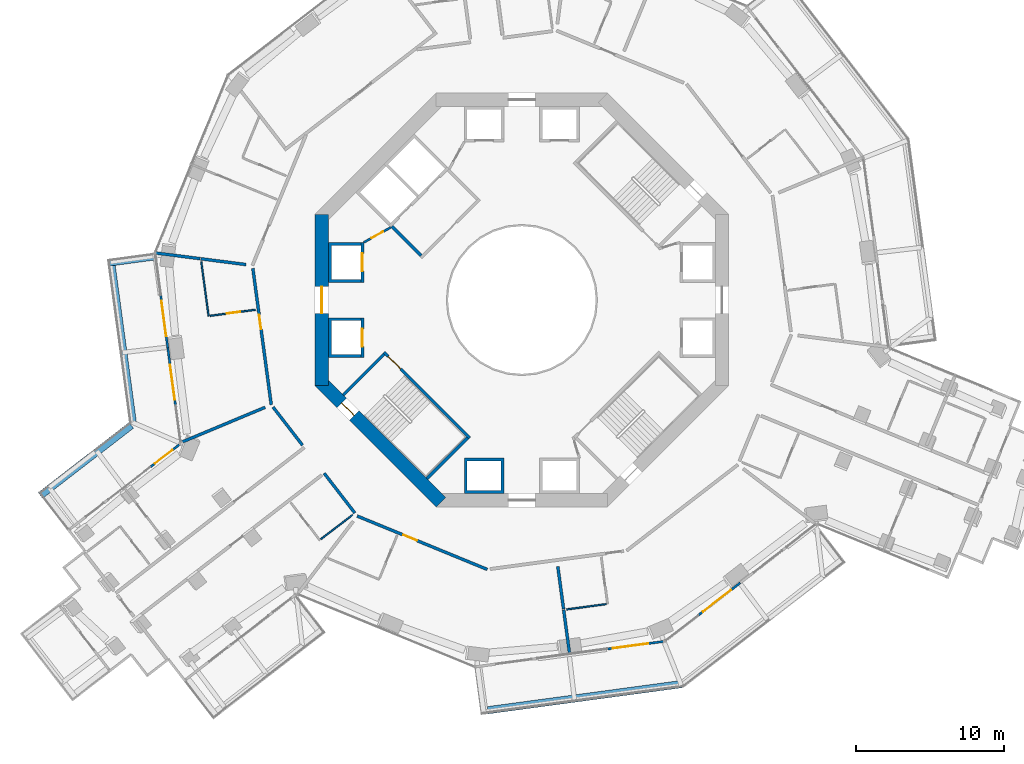
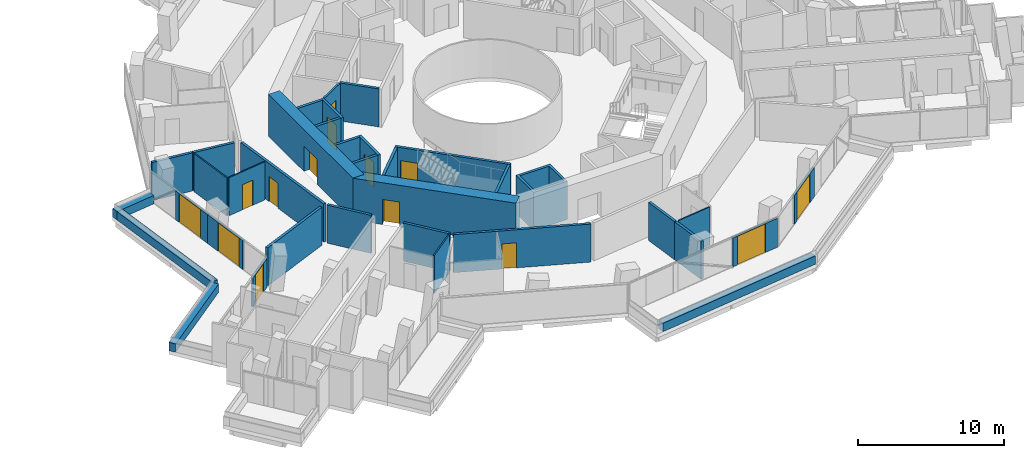
# One storey, part 19 of 27: 34 walls, 14 doors, 14 openings.
"""IFC4 building model written with IfcOpenShell, lengths in metres."""

from ifc_helpers import new_model, si_unit, direction, frame, frame_2d, origin, place, context, subcontext, project, spatial, polyline, rectangle, outline, extrude, material, layer, layer_set, type_object, element, fill, save


model = new_model("IFC4")

# Units and contexts
model_context = context("Model", 3, precision=1e-05, world=origin(), true_north=direction((0.0, 1.0)))
body_context = subcontext(model_context, "Body", "Model", "MODEL_VIEW")
ifc_project = project(units=[si_unit("LENGTHUNIT", "METRE"), si_unit("AREAUNIT", "SQUARE_METRE"), si_unit("VOLUMEUNIT", "CUBIC_METRE"), si_unit("PLANEANGLEUNIT", "RADIAN"), si_unit("MASSUNIT", "GRAM", prefix="KILO")], contexts=[model_context])

# Site, building, storey
site_placement = place(None, origin())
site = spatial("IfcSite", under=ifc_project, at=site_placement, CompositionType="ELEMENT")
building_placement = place(site_placement, origin())
building = spatial("IfcBuilding", under=site, at=building_placement, Name="Verdalira Terraces Hotel", CompositionType="ELEMENT")
storey_placement = place(building_placement, frame((0.0, 0.0, 64.5)))
storey = spatial("IfcBuildingStorey", under=building, at=storey_placement, Name="L14", CompositionType="ELEMENT", Elevation=64.5)

# Walls
ifc_material_1 = material(Name="Concrete C40", Category="concrete")
ifc_layer_1 = layer(ifc_material_1, 0.5)
ifc_layer_set_1 = layer_set([ifc_layer_1], Name="Balcony planter trough with tree")
wall_type_1 = type_object("IfcWallType", Name="Balcony planter trough with tree", PredefinedType="SOLIDWALL", material=ifc_layer_set_1)
wall_1_placement = place(storey_placement, frame((-24.876953, 2.951904, 0.0), z_axis=(0.0, 0.0, 1.0), x_axis=(-0.991031531, -0.133628231, 0.0)))
element("IfcWall", 1, at=wall_1_placement, inside=storey, type_object=wall_type_1, Name="Balcony planter", PredefinedType="SOLIDWALL", context=body_context, shape_type="SweptSolid", body=[
    extrude(rectangle(XDim=3.199219, YDim=0.5, at=frame_2d((1.599609, 0.0))), origin(), (0.0, 0.0, 1.0), 0.699951),
])
wall_2_placement = place(storey_placement, frame((-27.766113, 2.310059, 0.0), z_axis=(0.0, 0.0, 1.0), x_axis=(0.133639281, -0.991030041, 0.0)))
element("IfcWall", 2, at=wall_2_placement, inside=storey, type_object=wall_type_1, Name="Balcony planter", PredefinedType="SOLIDWALL", context=body_context, shape_type="SweptSolid", body=[
    extrude(rectangle(XDim=10.652344, YDim=0.5, at=frame_2d((5.326172, 0.0))), origin(), (0.0, 0.0, 1.0), 0.699951),
])
wall_3_placement = place(storey_placement, frame((-26.4375, -8.478027, 0.0), z_axis=(0.0, 0.0, 1.0), x_axis=(-0.791421051, -0.611271396, 0.0)))
element("IfcWall", 3, at=wall_3_placement, inside=storey, type_object=wall_type_1, Name="Balcony planter", PredefinedType="SOLIDWALL", context=body_context, shape_type="SweptSolid", body=[
    extrude(rectangle(XDim=7.773438, YDim=0.5, at=frame_2d((3.886719, 0.0))), origin(), (0.0, 0.0, 1.0), 0.699951),
])
wall_4_placement = place(storey_placement, frame((-2.310059, -27.766113, 0.0), z_axis=(0.0, 0.0, 1.0), x_axis=(0.991030733, 0.133634153, 0.0)))
element("IfcWall", 4, at=wall_4_placement, inside=storey, type_object=wall_type_1, Name="Balcony planter", PredefinedType="SOLIDWALL", context=body_context, shape_type="SweptSolid", body=[
    extrude(rectangle(XDim=13.223389, YDim=0.5, at=frame_2d((6.611816, 0.0))), origin(), (0.0, 0.0, 1.0), 0.699951),
])
ifc_material_2 = material(Name="Moisture-resistant gypsum board partition")
ifc_layer_2 = layer(ifc_material_2, 0.10009765625)
ifc_layer_set_2 = layer_set([ifc_layer_2], Name="Bathroom partition 100 mm")
wall_type_2 = type_object("IfcWallType", Name="Bathroom partition 100 mm", PredefinedType="PARTITIONING", material=ifc_layer_set_2)
wall_5_placement = place(storey_placement, frame((-21.203613, -1.084961, 0.0), z_axis=(0.0, 0.0, 1.0), x_axis=(-0.13360997, 0.991033993, 0.0)))
element("IfcWall", 5, at=wall_5_placement, inside=storey, type_object=wall_type_2, Name="Bathroom partition", PredefinedType="PARTITIONING", context=body_context, shape_type="SweptSolid", body=[
    extrude(rectangle(XDim=3.703857, YDim=0.100098, at=frame_2d((1.852051, 0.0))), origin(), (0.0, 0.0, 1.0), 3.189941),
])

# Wall, opening, door
wall_6_placement = place(storey_placement, frame((-21.104492, -1.071777, 0.0), z_axis=(0.0, 0.0, 1.0), x_axis=(0.991029396, 0.133644063, 0.0)))
wall_6 = element("IfcWall", 6, at=wall_6_placement, inside=storey, type_object=wall_type_2, Name="Bathroom partition", PredefinedType="PARTITIONING", context=body_context, shape_type="SweptSolid", body=[
    extrude(rectangle(XDim=3.100098, YDim=0.100098, at=frame_2d((1.550049, 0.0))), origin(), (0.0, 0.0, 1.0), 3.189941),
])
opening_1_placement = place(wall_6_placement, frame((1.149902, 0.0, 0.0)))
opening_1 = element("IfcOpeningElement", 7, at=opening_1_placement, cuts=wall_6, Name="Opening L14-113", PredefinedType="OPENING", context=body_context, shape_type="SweptSolid", body=[
    extrude(rectangle(XDim=0.899902, YDim=2.100098, at=frame_2d((0.449951, 1.050049))), frame((0.0, 0.060059, 0.0), z_axis=(0.0, -1.0, 0.0), x_axis=(1.0, 0.0, 0.0)), (0.0, 0.0, 1.0), 0.120117),
])
ifc_material_3 = material(Name="Timber door", Category="wood")
door_type_1 = type_object("IfcDoorType", Name="Bathroom door 900 x 2100", OperationType="NOTDEFINED", PredefinedType="DOOR", material=ifc_material_3)
door_1_placement = place(opening_1_placement, origin())
door_1 = element("IfcDoor", 8, at=door_1_placement, inside=storey, type_object=door_type_1, Name="Bathroom door 1405", OperationType="SINGLE_SWING_LEFT", OverallHeight=2.10009765625, OverallWidth=0.89990234375, PredefinedType="DOOR", context=body_context, shape_type="SweptSolid", body=[
    extrude(rectangle(XDim=0.899902, YDim=2.100098, at=frame_2d((0.449951, 1.050049))), frame((0.0, 0.024902, 0.0), z_axis=(0.0, -1.0, 0.0), x_axis=(1.0, 0.0, 0.0)), (0.0, 0.0, 1.0), 0.050049),
])
fill(opening_1, door_1)

# Walls
for number, where, z_axis, x_axis, name in (
    (9, (-11.462402, -14.538574, 0.0), (0.0, 0.0, 1.0), (-0.79141226, -0.611282778, 0.0), "Bathroom partition"),
    (10, (5.70166, -20.581055, 0.0), (0.0, 0.0, 1.0), (-0.991029366, -0.133644289, 0.0), "Bathroom partition"),
):
    element("IfcWall", number, at=place(storey_placement, frame(where, z_axis=z_axis, x_axis=x_axis)), inside=storey, type_object=wall_type_2, Name=name, PredefinedType="PARTITIONING", context=body_context, shape_type="SweptSolid", body=[
        extrude(rectangle(XDim=2.699951, YDim=0.100098, at=frame_2d((1.350098, 0.0))), origin(), (0.0, 0.0, 1.0), 3.189941),
    ])
ifc_material_4 = material(Name="Concrete C50", Category="concrete")
ifc_layer_3 = layer(ifc_material_4, 0.199951171875)
ifc_layer_set_3 = layer_set([ifc_layer_3], Name="Core RC wall 200 C50")
wall_type_3 = type_object("IfcWallType", Name="Core RC wall 200 C50", PredefinedType="SOLIDWALL", material=ifc_layer_set_3)
wall_7_placement = place(storey_placement, origin())
element("IfcWall", 11, at=wall_7_placement, inside=storey, type_object=wall_type_3, Name="L14 shaft wall W1", PredefinedType="SOLIDWALL", context=body_context, shape_type="SweptSolid", body=[
    extrude(outline(polyline([(-13.100098, 3.899902), (-10.899902, 3.899902), (-10.899902, 3.699951), (-12.899902, 3.699951), (-12.899902, 1.399902), (-10.899902, 1.399902), (-10.899902, 1.199951), (-13.100098, 1.199951), (-13.100098, 3.899902)])), origin(), (0.0, 0.0, 1.0), 3.189941),
])

# Wall, opening, door
wall_8_placement = place(storey_placement, frame((-10.800049, 1.199951, 0.0), z_axis=(0.0, 0.0, 1.0), x_axis=(0.0, 1.0, 0.0)))
wall_8 = element("IfcWall", 12, at=wall_8_placement, inside=storey, type_object=wall_type_3, Name="L14 shaft front wall W1", PredefinedType="SOLIDWALL", context=body_context, shape_type="SweptSolid", body=[
    extrude(rectangle(XDim=2.699951, YDim=0.199951, at=frame_2d((1.350098, 0.0))), origin(), (0.0, 0.0, 1.0), 3.189941),
])
opening_2_placement = place(wall_8_placement, frame((0.75, 0.0, 0.0)))
opening_2 = element("IfcOpeningElement", 13, at=opening_2_placement, cuts=wall_8, Name="Opening LD-L14-805", PredefinedType="OPENING", context=body_context, shape_type="SweptSolid", body=[
    extrude(rectangle(XDim=1.199951, YDim=2.100098, at=frame_2d((0.600098, 1.050049))), frame((0.0, 0.109863, 0.0), z_axis=(0.0, -1.0, 0.0), x_axis=(1.0, 0.0, 0.0)), (0.0, 0.0, 1.0), 0.219971),
])
ifc_material_5 = material(Name="Stainless steel", Category="steel")
door_type_2 = type_object("IfcDoorType", Name="Landing door 1200 x 2100", OperationType="NOTDEFINED", PredefinedType="DOOR", material=ifc_material_5)
door_2_placement = place(opening_2_placement, origin())
door_2 = element("IfcDoor", 14, at=door_2_placement, inside=storey, type_object=door_type_2, Name="Lift landing door LR5 L14", OperationType="DOUBLE_DOOR_SLIDING", OverallHeight=2.10009765625, OverallWidth=1.199951171875, PredefinedType="DOOR", context=body_context, shape_type="SweptSolid", body=[
    extrude(rectangle(XDim=1.199951, YDim=2.100098, at=frame_2d((0.600098, 1.050049))), frame((0.0, 0.024902, 0.0), z_axis=(0.0, -1.0, 0.0), x_axis=(1.0, 0.0, 0.0)), (0.0, 0.0, 1.0), 0.050049),
])
fill(opening_2, door_2)

# Wall
wall_9_placement = place(storey_placement, origin())
element("IfcWall", 15, at=wall_9_placement, inside=storey, type_object=wall_type_3, Name="L14 shaft wall W2", PredefinedType="SOLIDWALL", context=body_context, shape_type="SweptSolid", body=[
    extrude(outline(polyline([(-13.100098, -3.899902), (-13.100098, -1.199951), (-10.899902, -1.199951), (-10.899902, -1.399902), (-12.899902, -1.399902), (-12.899902, -3.699951), (-10.899902, -3.699951), (-10.899902, -3.899902), (-13.100098, -3.899902)])), origin(), (0.0, 0.0, 1.0), 3.189941),
])

# Wall, opening, door
wall_10_placement = place(storey_placement, frame((-10.800049, -1.199951, 0.0), z_axis=(0.0, 0.0, 1.0), x_axis=(0.0, -1.0, 0.0)))
wall_10 = element("IfcWall", 16, at=wall_10_placement, inside=storey, type_object=wall_type_3, Name="L14 shaft front wall W2", PredefinedType="SOLIDWALL", context=body_context, shape_type="SweptSolid", body=[
    extrude(rectangle(XDim=2.699951, YDim=0.199951, at=frame_2d((1.350098, 0.0))), origin(), (0.0, 0.0, 1.0), 3.189941),
])
opening_3_placement = place(wall_10_placement, frame((0.75, 0.0, 0.0)))
opening_3 = element("IfcOpeningElement", 17, at=opening_3_placement, cuts=wall_10, Name="Opening LD-L14-806", PredefinedType="OPENING", context=body_context, shape_type="SweptSolid", body=[
    extrude(rectangle(XDim=1.199951, YDim=2.100098, at=frame_2d((0.600098, 1.050049))), frame((0.0, 0.109863, 0.0), z_axis=(0.0, -1.0, 0.0), x_axis=(1.0, 0.0, 0.0)), (0.0, 0.0, 1.0), 0.219971),
])
door_3_placement = place(opening_3_placement, origin())
door_3 = element("IfcDoor", 18, at=door_3_placement, inside=storey, type_object=door_type_2, Name="Lift landing door LR6 L14", OperationType="DOUBLE_DOOR_SLIDING", OverallHeight=2.10009765625, OverallWidth=1.199951171875, PredefinedType="DOOR", context=body_context, shape_type="SweptSolid", body=[
    extrude(rectangle(XDim=1.199951, YDim=2.100098, at=frame_2d((0.600098, 1.050049))), frame((0.0, 0.024902, 0.0), z_axis=(0.0, -1.0, 0.0), x_axis=(1.0, 0.0, 0.0)), (0.0, 0.0, 1.0), 0.050049),
])
fill(opening_3, door_3)

# Wall
wall_11_placement = place(storey_placement, origin())
element("IfcWall", 19, at=wall_11_placement, inside=storey, type_object=wall_type_3, Name="L14 shaft wall S1", PredefinedType="SOLIDWALL", context=body_context, shape_type="SweptSolid", body=[
    extrude(outline(polyline([(-1.199951, -13.100098), (-3.899902, -13.100098), (-3.899902, -10.699951), (-1.199951, -10.699951), (-1.199951, -13.100098)]), holes=[polyline([(-3.699951, -10.899902), (-3.699951, -12.899902), (-1.399902, -12.899902), (-1.399902, -10.899902), (-3.699951, -10.899902)])]), origin(), (0.0, 0.0, 1.0), 3.189941),
])

# Wall, opening, door
wall_12_placement = place(storey_placement, frame((-3.5354, -9.33374, 0.0), z_axis=(0.0, 0.0, 1.0), x_axis=(-0.707106781, 0.707106781, 0.0)))
wall_12 = element("IfcWall", 20, at=wall_12_placement, inside=storey, type_object=wall_type_3, Name="L14 stair ST2 front wall", PredefinedType="SOLIDWALL", context=body_context, shape_type="SweptSolid", body=[
    extrude(rectangle(XDim=8.200195, YDim=0.199951, at=frame_2d((4.100098, 0.0))), origin(), (0.0, 0.0, 1.0), 3.189941),
])
opening_4_placement = place(wall_12_placement, frame((6.600098, 0.0, 0.0)))
opening_4 = element("IfcOpeningElement", 21, at=opening_4_placement, cuts=wall_12, Name="Opening L14-810", PredefinedType="OPENING", context=body_context, shape_type="SweptSolid", body=[
    extrude(rectangle(XDim=1.199951, YDim=2.100098, at=frame_2d((0.600098, 1.050049))), frame((0.0, 0.109863, 0.0), z_axis=(0.0, -1.0, 0.0), x_axis=(1.0, 0.0, 0.0)), (0.0, 0.0, 1.0), 0.219971),
])
ifc_material_6 = material(Name="Steel fire door", Category="steel")
door_type_3 = type_object("IfcDoorType", Name="Stair door 1200 x 2100", OperationType="NOTDEFINED", PredefinedType="DOOR", material=ifc_material_6)
door_4_placement = place(opening_4_placement, origin())
door_4 = element("IfcDoor", 22, at=door_4_placement, inside=storey, type_object=door_type_3, Name="Stair door ST2 L14", OperationType="SINGLE_SWING_RIGHT", OverallHeight=2.10009765625, OverallWidth=1.199951171875, PredefinedType="DOOR", context=body_context, shape_type="SweptSolid", body=[
    extrude(rectangle(XDim=1.199951, YDim=2.100098, at=frame_2d((0.600098, 1.050049))), frame((0.0, 0.024902, 0.0), z_axis=(0.0, -1.0, 0.0), x_axis=(1.0, 0.0, 0.0)), (0.0, 0.0, 1.0), 0.050049),
])
fill(opening_4, door_4)

# Walls
for number, where, z_axis, x_axis, name in (
    (23, (-9.33374, -3.677002, 0.0), (0.0, 0.0, 1.0), (-0.707106781, -0.707106781, 0.0), "L14 stair ST2 end wall 1"),
    (24, (-3.677002, -9.33374, 0.0), (0.0, 0.0, 1.0), (-0.707106781, -0.707106781, 0.0), "L14 stair ST2 end wall 2"),
):
    element("IfcWall", number, at=place(storey_placement, frame(where, z_axis=z_axis, x_axis=x_axis)), inside=storey, type_object=wall_type_3, Name=name, PredefinedType="SOLIDWALL", context=body_context, shape_type="SweptSolid", body=[
        extrude(rectangle(XDim=3.900146, YDim=0.199951, at=frame_2d((1.950195, 0.0))), origin(), (0.0, 0.0, 1.0), 3.189941),
    ])
wall_13_placement = place(storey_placement, frame((-6.823486, 3.005127, 0.0), z_axis=(0.0, 0.0, 1.0), x_axis=(-0.707106781, 0.707106781, 0.0)))
element("IfcWall", 25, at=wall_13_placement, inside=storey, type_object=wall_type_3, Name="L14 fire lobby wall", PredefinedType="SOLIDWALL", context=body_context, shape_type="SweptSolid", body=[
    extrude(rectangle(XDim=2.800049, YDim=0.199951, at=frame_2d((1.399902, 0.0))), origin(), (0.0, 0.0, 1.0), 3.189941),
])

# Wall, opening, door
ifc_material_7 = material(Name="Gypsum board partition")
ifc_layer_4 = layer(ifc_material_7, 0.14990234375)
ifc_layer_set_4 = layer_set([ifc_layer_4], Name="Core partition 150 mm")
wall_type_4 = type_object("IfcWallType", Name="Core partition 150 mm", PredefinedType="PARTITIONING", material=ifc_layer_set_4)
wall_14_placement = place(storey_placement, frame((-8.874268, 4.914307, 0.0), z_axis=(0.0, 0.0, 1.0), x_axis=(-0.874129705, -0.485692555, 0.0)))
wall_14 = element("IfcWall", 26, at=wall_14_placement, inside=storey, type_object=wall_type_4, Name="Room partition L14", PredefinedType="PARTITIONING", context=body_context, shape_type="SweptSolid", body=[
    extrude(rectangle(XDim=2.088623, YDim=0.149902, at=frame_2d((1.044434, 0.0))), origin(), (0.0, 0.0, 1.0), 3.189941),
])
opening_5_placement = place(wall_14_placement, frame((0.594238, 0.0, 0.0)))
opening_5 = element("IfcOpeningElement", 27, at=opening_5_placement, cuts=wall_14, Name="Opening L14-822", PredefinedType="OPENING", context=body_context, shape_type="SweptSolid", body=[
    extrude(rectangle(XDim=0.899902, YDim=2.100098, at=frame_2d((0.449951, 1.050049))), frame((0.0, 0.084961, 0.0), z_axis=(0.0, -1.0, 0.0), x_axis=(1.0, 0.0, 0.0)), (0.0, 0.0, 1.0), 0.169922),
])
ifc_material_8 = material(Name="Steel fire door", Category="steel")
door_type_4 = type_object("IfcDoorType", Name="Core room door 900 x 2100", OperationType="NOTDEFINED", PredefinedType="DOOR", material=ifc_material_8)
door_5_placement = place(opening_5_placement, origin())
door_5 = element("IfcDoor", 28, at=door_5_placement, inside=storey, type_object=door_type_4, Name="Door L14 room3", OperationType="SINGLE_SWING_LEFT", OverallHeight=2.10009765625, OverallWidth=0.89990234375, PredefinedType="DOOR", context=body_context, shape_type="SweptSolid", body=[
    extrude(rectangle(XDim=0.899902, YDim=2.100098, at=frame_2d((0.449951, 1.050049))), frame((0.0, 0.024902, 0.0), z_axis=(0.0, -1.0, 0.0), x_axis=(1.0, 0.0, 0.0)), (0.0, 0.0, 1.0), 0.050049),
])
fill(opening_5, door_5)

ifc_material_9 = material(Name="Concrete C70", Category="concrete")
ifc_layer_5 = layer(ifc_material_9, 0.89990234375)
ifc_layer_set_5 = layer_set([ifc_layer_5], Name="Core wall 900 C70")
wall_type_5 = type_object("IfcWallType", Name="Core wall 900 C70", PredefinedType="SHEAR", material=ifc_layer_set_5)
wall_15_placement = place(storey_placement, frame((-13.550049, 5.799072, 0.0), z_axis=(0.0, 0.0, 1.0), x_axis=(0.0, -1.0, 0.0)))
wall_15 = element("IfcWall", 29, at=wall_15_placement, inside=storey, type_object=wall_type_5, Name="Core wall CW-L14-5", PredefinedType="SHEAR", context=body_context, shape_type="SweptSolid", body=[
    extrude(rectangle(XDim=11.598145, YDim=0.899902, at=frame_2d((5.799072, 0.0))), origin(), (0.0, 0.0, 1.0), 3.5),
])
opening_6_placement = place(wall_15_placement, frame((4.898926, 0.0, 0.0)))
opening_6 = element("IfcOpeningElement", 30, at=opening_6_placement, cuts=wall_15, Name="Opening L14-814", PredefinedType="OPENING", context=body_context, shape_type="SweptSolid", body=[
    extrude(rectangle(XDim=1.800049, YDim=2.100098, at=frame_2d((0.899902, 1.050049))), frame((0.0, 0.459961, 0.0), z_axis=(0.0, -1.0, 0.0), x_axis=(1.0, 0.0, 0.0)), (0.0, 0.0, 1.0), 0.919922),
])
ifc_material_10 = material(Name="Steel fire door", Category="steel")
door_type_5 = type_object("IfcDoorType", Name="Core entry door pair 1800 x 2100", OperationType="NOTDEFINED", PredefinedType="DOOR", material=ifc_material_10)
door_6_placement = place(opening_6_placement, origin())
door_6 = element("IfcDoor", 31, at=door_6_placement, inside=storey, type_object=door_type_5, Name="Core entry door L14 4", OperationType="DOUBLE_DOOR_SINGLE_SWING", OverallHeight=2.10009765625, OverallWidth=1.800048828125, PredefinedType="DOOR", context=body_context, shape_type="SweptSolid", body=[
    extrude(rectangle(XDim=1.800049, YDim=2.100098, at=frame_2d((0.899902, 1.050049))), frame((0.0, 0.024902, 0.0), z_axis=(0.0, -1.0, 0.0), x_axis=(1.0, 0.0, 0.0)), (0.0, 0.0, 1.0), 0.050049),
])
fill(opening_6, door_6)

wall_16_placement = place(storey_placement, frame((-13.681885, -5.480713, 0.0), z_axis=(0.0, 0.0, 1.0), x_axis=(0.707106781, -0.707106781, 0.0)))
wall_16 = element("IfcWall", 32, at=wall_16_placement, inside=storey, type_object=wall_type_5, Name="Core wall CW-L14-6", PredefinedType="SHEAR", context=body_context, shape_type="SweptSolid", body=[
    extrude(rectangle(XDim=11.598145, YDim=0.899902, at=frame_2d((5.799072, 0.0))), origin(), (0.0, 0.0, 1.0), 3.5),
])
opening_7_placement = place(wall_16_placement, frame((2.099121, 0.0, 0.0)))
opening_7 = element("IfcOpeningElement", 33, at=opening_7_placement, cuts=wall_16, Name="Opening L14-817", PredefinedType="OPENING", context=body_context, shape_type="SweptSolid", body=[
    extrude(rectangle(XDim=1.199951, YDim=2.100098, at=frame_2d((0.600098, 1.050049))), frame((0.0, 0.459961, 0.0), z_axis=(0.0, -1.0, 0.0), x_axis=(1.0, 0.0, 0.0)), (0.0, 0.0, 1.0), 0.919922),
])
door_7_placement = place(opening_7_placement, origin())
door_7 = element("IfcDoor", 34, at=door_7_placement, inside=storey, type_object=door_type_3, Name="Stair exit door ST2 L14", OperationType="SINGLE_SWING_LEFT", OverallHeight=2.10009765625, OverallWidth=1.199951171875, PredefinedType="DOOR", context=body_context, shape_type="SweptSolid", body=[
    extrude(rectangle(XDim=1.199951, YDim=2.100098, at=frame_2d((0.600098, 1.050049))), frame((0.0, 0.024902, 0.0), z_axis=(0.0, -1.0, 0.0), x_axis=(1.0, 0.0, 0.0)), (0.0, 0.0, 1.0), 0.050049),
])
fill(opening_7, door_7)

# Walls
ifc_material_11 = material(Name="Fire-rated gypsum board wall")
ifc_layer_6 = layer(ifc_material_11, 0.199951171875)
ifc_layer_set_6 = layer_set([ifc_layer_6], Name="Demising wall 200 mm")
wall_type_6 = type_object("IfcWallType", Name="Demising wall 200 mm", PredefinedType="SOLIDWALL", material=ifc_layer_set_6)
wall_17_placement = place(storey_placement, frame((-21.773682, 2.797119, 0.0), z_axis=(0.0, 0.0, 1.0), x_axis=(-0.991855686, 0.127366788, 0.0)))
element("IfcWall", 35, at=wall_17_placement, inside=storey, type_object=wall_type_6, Name="Demising wall", PredefinedType="SOLIDWALL", context=body_context, shape_type="SweptSolid", body=[
    extrude(rectangle(XDim=3.01123, YDim=0.199951, at=frame_2d((1.505615, 0.0))), origin(), (0.0, 0.0, 1.0), 3.189941),
])
wall_18_placement = place(storey_placement, frame((-17.375732, -7.26123, 0.0), z_axis=(0.0, 0.0, 1.0), x_axis=(-0.922670031, -0.385590475, 0.0)))
element("IfcWall", 36, at=wall_18_placement, inside=storey, type_object=wall_type_6, Name="Demising wall", PredefinedType="SOLIDWALL", context=body_context, shape_type="SweptSolid", body=[
    extrude(rectangle(XDim=6.13208, YDim=0.199951, at=frame_2d((3.065918, 0.0))), origin(), (0.0, 0.0, 1.0), 3.189941),
])
wall_19_placement = place(storey_placement, frame((-18.678467, 2.399414, 0.0), z_axis=(0.0, 0.0, 1.0), x_axis=(-0.991846962, 0.127434708, 0.0)))
element("IfcWall", 37, at=wall_19_placement, inside=storey, type_object=wall_type_6, Name="Demising wall", PredefinedType="SOLIDWALL", context=body_context, shape_type="SweptSolid", body=[
    extrude(rectangle(XDim=3.074951, YDim=0.199951, at=frame_2d((1.537598, 0.0))), origin(), (0.0, 0.0, 1.0), 3.189941),
])
wall_20_placement = place(storey_placement, frame((2.433105, -18.042236, 0.0), z_axis=(0.0, 0.0, 1.0), x_axis=(0.133639031, -0.991030075, 0.0)))
element("IfcWall", 38, at=wall_20_placement, inside=storey, type_object=wall_type_6, Name="Demising wall", PredefinedType="SOLIDWALL", context=body_context, shape_type="SweptSolid", body=[
    extrude(rectangle(XDim=2.904785, YDim=0.199951, at=frame_2d((1.452393, 0.0))), origin(), (0.0, 0.0, 1.0), 3.189941),
])
wall_21_placement = place(storey_placement, frame((2.827393, -20.966553, 0.0), z_axis=(0.0, 0.0, 1.0), x_axis=(0.133566663, -0.991039831, 0.0)))
element("IfcWall", 39, at=wall_21_placement, inside=storey, type_object=wall_type_6, Name="Demising wall", PredefinedType="SOLIDWALL", context=body_context, shape_type="SweptSolid", body=[
    extrude(rectangle(XDim=2.951904, YDim=0.199951, at=frame_2d((1.476074, 0.0))), origin(), (0.0, 0.0, 1.0), 3.189941),
])

# Wall, opening, door
ifc_material_12 = material(Name="Fire-rated gypsum board wall")
ifc_layer_7 = layer(ifc_material_12, 0.199951171875)
ifc_layer_set_7 = layer_set([ifc_layer_7], Name="Guest corridor wall 200 mm")
wall_type_7 = type_object("IfcWallType", Name="Guest corridor wall 200 mm", PredefinedType="SOLIDWALL", material=ifc_layer_set_7)
wall_22_placement = place(storey_placement, frame((-16.963135, -7.088867, 0.0), z_axis=(0.0, 0.0, 1.0), x_axis=(-0.133643157, 0.991029519, 0.0)))
wall_22 = element("IfcWall", 40, at=wall_22_placement, inside=storey, type_object=wall_type_7, Name="Guest corridor wall", PredefinedType="SOLIDWALL", context=body_context, shape_type="SweptSolid", body=[
    extrude(rectangle(XDim=9.31665, YDim=0.199951, at=frame_2d((4.658203, 0.0))), origin(), (0.0, 0.0, 1.0), 3.189941),
])
opening_8_placement = place(wall_22_placement, frame((5.149902, 0.0, 0.0)))
opening_8 = element("IfcOpeningElement", 41, at=opening_8_placement, cuts=wall_22, Name="Opening L14-112", PredefinedType="OPENING", context=body_context, shape_type="SweptSolid", body=[
    extrude(rectangle(XDim=1.0, YDim=2.100098, at=frame_2d((0.5, 1.050049))), frame((0.0, 0.109863, 0.0), z_axis=(0.0, -1.0, 0.0), x_axis=(1.0, 0.0, 0.0)), (0.0, 0.0, 1.0), 0.219971),
])
ifc_material_13 = material(Name="Timber fire door", Category="wood")
door_type_6 = type_object("IfcDoorType", Name="Guest entry door 1000 x 2100", OperationType="NOTDEFINED", PredefinedType="DOOR", material=ifc_material_13)
door_8_placement = place(opening_8_placement, origin())
door_8 = element("IfcDoor", 42, at=door_8_placement, inside=storey, type_object=door_type_6, Name="Guest entry door 1405", OperationType="SINGLE_SWING_LEFT", OverallHeight=2.10009765625, OverallWidth=1.0, PredefinedType="DOOR", context=body_context, shape_type="SweptSolid", body=[
    extrude(rectangle(XDim=1.0, YDim=2.100098, at=frame_2d((0.5, 1.050049))), frame((0.0, 0.024902, 0.0), z_axis=(0.0, -1.0, 0.0), x_axis=(1.0, 0.0, 0.0)), (0.0, 0.0, 1.0), 0.050049),
])
fill(opening_8, door_8)

# Walls
wall_23_placement = place(storey_placement, frame((-16.84082, -7.247314, 0.0), z_axis=(0.0, 0.0, 1.0), x_axis=(0.611281148, -0.791413519, 0.0)))
element("IfcWall", 43, at=wall_23_placement, inside=storey, type_object=wall_type_7, Name="Guest corridor wall", PredefinedType="SOLIDWALL", context=body_context, shape_type="SweptSolid", body=[
    extrude(rectangle(XDim=3.258301, YDim=0.199951, at=frame_2d((1.62915, 0.0))), origin(), (0.0, 0.0, 1.0), 3.189941),
])
wall_24_placement = place(storey_placement, frame((-13.38208, -11.725342, 0.0), z_axis=(0.0, 0.0, 1.0), x_axis=(0.611222673, -0.791458682, 0.0)))
element("IfcWall", 44, at=wall_24_placement, inside=storey, type_object=wall_type_7, Name="Guest corridor wall", PredefinedType="SOLIDWALL", context=body_context, shape_type="SweptSolid", body=[
    extrude(rectangle(XDim=3.399902, YDim=0.199951, at=frame_2d((1.699951, 0.0))), origin(), (0.0, 0.0, 1.0), 3.189941),
])

# Wall, opening, door
wall_25_placement = place(storey_placement, frame((-2.343018, -18.234619, 0.0), z_axis=(0.0, 0.0, 1.0), x_axis=(-0.925075034, 0.379784389, 0.0)))
wall_25 = element("IfcWall", 45, at=wall_25_placement, inside=storey, type_object=wall_type_7, Name="Guest corridor wall", PredefinedType="SOLIDWALL", context=body_context, shape_type="SweptSolid", body=[
    extrude(rectangle(XDim=9.515869, YDim=0.199951, at=frame_2d((4.757812, 0.0))), origin(), (0.0, 0.0, 1.0), 3.189941),
])
opening_9_placement = place(wall_25_placement, frame((5.149902, 0.0, 0.0)))
opening_9 = element("IfcOpeningElement", 46, at=opening_9_placement, cuts=wall_25, Name="Opening L14-120", PredefinedType="OPENING", context=body_context, shape_type="SweptSolid", body=[
    extrude(rectangle(XDim=1.0, YDim=2.100098, at=frame_2d((0.5, 1.050049))), frame((0.0, 0.109863, 0.0), z_axis=(0.0, -1.0, 0.0), x_axis=(1.0, 0.0, 0.0)), (0.0, 0.0, 1.0), 0.219971),
])
door_9_placement = place(opening_9_placement, origin())
door_9 = element("IfcDoor", 47, at=door_9_placement, inside=storey, type_object=door_type_6, Name="Guest entry door 1409", OperationType="SINGLE_SWING_LEFT", OverallHeight=2.10009765625, OverallWidth=1.0, PredefinedType="DOOR", context=body_context, shape_type="SweptSolid", body=[
    extrude(rectangle(XDim=1.0, YDim=2.100098, at=frame_2d((0.5, 1.050049))), frame((0.0, 0.024902, 0.0), z_axis=(0.0, -1.0, 0.0), x_axis=(1.0, 0.0, 0.0)), (0.0, 0.0, 1.0), 0.050049),
])
fill(opening_9, door_9)

ifc_material_14 = material(Name="Terracotta cladding", Category="masonry")
ifc_layer_8 = layer(ifc_material_14, 0.14990234375)
ifc_layer_set_8 = layer_set([ifc_layer_8], Name="Terracotta door pier 150")
wall_type_8 = type_object("IfcWallType", Name="Terracotta door pier 150", PredefinedType="SOLIDWALL", material=ifc_layer_set_8)
wall_26_placement = place(storey_placement, frame((-24.44751, 0.335938, 0.0), z_axis=(0.0, 0.0, 1.0), x_axis=(0.133660502, -0.991027179, 0.0)))
wall_26 = element("IfcWall", 48, at=wall_26_placement, inside=storey, type_object=wall_type_8, Name="Terracotta door pier", PredefinedType="SOLIDWALL", context=body_context, shape_type="SweptSolid", body=[
    extrude(rectangle(XDim=3.600098, YDim=0.149902, at=frame_2d((1.800049, 0.0))), origin(), (0.0, 0.0, 1.0), 2.425049),
])
opening_10_placement = place(wall_26_placement, frame((0.399902, 0.0, 0.0)))
opening_10 = element("IfcOpeningElement", 49, at=opening_10_placement, cuts=wall_26, Name="Opening L14-B07", PredefinedType="OPENING", context=body_context, shape_type="SweptSolid", body=[
    extrude(rectangle(XDim=2.399902, YDim=2.399902, at=frame_2d((1.199951, 1.199951))), frame((0.0, 0.084961, 0.0), z_axis=(0.0, -1.0, 0.0), x_axis=(1.0, 0.0, 0.0)), (0.0, 0.0, 1.0), 0.169922),
])
ifc_material_15 = material(Name="Clear glass", Category="glass")
door_type_7 = type_object("IfcDoorType", Name="Balcony sliding door 2400x2400", OperationType="NOTDEFINED", PredefinedType="DOOR", material=ifc_material_15)
door_10_placement = place(opening_10_placement, origin())
door_10 = element("IfcDoor", 50, at=door_10_placement, inside=storey, type_object=door_type_7, Name="Balcony sliding door", OperationType="SLIDING_TO_RIGHT", OverallHeight=2.39990234375, OverallWidth=2.39990234375, PredefinedType="DOOR", context=body_context, shape_type="SweptSolid", body=[
    extrude(rectangle(XDim=2.399902, YDim=2.399902, at=frame_2d((1.199951, 1.199951))), frame((0.0, 0.024902, 0.0), z_axis=(0.0, -1.0, 0.0), x_axis=(1.0, 0.0, 0.0)), (0.0, 0.0, 1.0), 0.050049),
])
fill(opening_10, door_10)

wall_27_placement = place(storey_placement, frame((-23.966309, -3.231934, 0.0), z_axis=(0.0, 0.0, 1.0), x_axis=(0.133649548, -0.991028657, 0.0)))
wall_27 = element("IfcWall", 51, at=wall_27_placement, inside=storey, type_object=wall_type_8, Name="Terracotta door pier", PredefinedType="SOLIDWALL", context=body_context, shape_type="SweptSolid", body=[
    extrude(rectangle(XDim=3.960449, YDim=0.149902, at=frame_2d((1.980225, 0.0))), origin(), (0.0, 0.0, 1.0), 2.425049),
])
opening_11_placement = place(wall_27_placement, frame((1.1604, 0.0, 0.0)))
opening_11 = element("IfcOpeningElement", 52, at=opening_11_placement, cuts=wall_27, Name="Opening L14-B08", PredefinedType="OPENING", context=body_context, shape_type="SweptSolid", body=[
    extrude(rectangle(XDim=2.399902, YDim=2.399902, at=frame_2d((1.199951, 1.199951))), frame((0.0, 0.084961, 0.0), z_axis=(0.0, -1.0, 0.0), x_axis=(1.0, 0.0, 0.0)), (0.0, 0.0, 1.0), 0.169922),
])
door_11_placement = place(opening_11_placement, origin())
door_11 = element("IfcDoor", 53, at=door_11_placement, inside=storey, type_object=door_type_7, Name="Balcony sliding door", OperationType="SLIDING_TO_LEFT", OverallHeight=2.39990234375, OverallWidth=2.39990234375, PredefinedType="DOOR", context=body_context, shape_type="SweptSolid", body=[
    extrude(rectangle(XDim=2.399902, YDim=2.399902, at=frame_2d((1.199951, 1.199951))), frame((0.0, 0.024902, 0.0), z_axis=(0.0, -1.0, 0.0), x_axis=(1.0, 0.0, 0.0)), (0.0, 0.0, 1.0), 0.050049),
])
fill(opening_11, door_11)

wall_28_placement = place(storey_placement, frame((-23.181641, -9.785645, 0.0), z_axis=(0.0, 0.0, 1.0), x_axis=(-0.791418042, -0.611275292, 0.0)))
wall_28 = element("IfcWall", 54, at=wall_28_placement, inside=storey, type_object=wall_type_8, Name="Terracotta door pier", PredefinedType="SOLIDWALL", context=body_context, shape_type="SweptSolid", body=[
    extrude(rectangle(XDim=2.501709, YDim=0.149902, at=frame_2d((1.250977, 0.0))), origin(), (0.0, 0.0, 1.0), 2.425049),
])
opening_12_placement = place(wall_28_placement, frame((0.601807, 0.0, 0.0)))
opening_12 = element("IfcOpeningElement", 55, at=opening_12_placement, cuts=wall_28, Name="Opening L14-B09", PredefinedType="OPENING", context=body_context, shape_type="SweptSolid", body=[
    extrude(rectangle(XDim=1.5, YDim=2.399902, at=frame_2d((0.75, 1.199951))), frame((0.0, 0.084961, 0.0), z_axis=(0.0, -1.0, 0.0), x_axis=(1.0, 0.0, 0.0)), (0.0, 0.0, 1.0), 0.169922),
])
ifc_material_16 = material(Name="Clear glass", Category="glass")
door_type_8 = type_object("IfcDoorType", Name="Balcony sliding door 1500x2400", OperationType="NOTDEFINED", PredefinedType="DOOR", material=ifc_material_16)
door_12_placement = place(opening_12_placement, origin())
door_12 = element("IfcDoor", 56, at=door_12_placement, inside=storey, type_object=door_type_8, Name="Balcony sliding door", OperationType="SLIDING_TO_LEFT", OverallHeight=2.39990234375, OverallWidth=1.5, PredefinedType="DOOR", context=body_context, shape_type="SweptSolid", body=[
    extrude(rectangle(XDim=1.5, YDim=2.399902, at=frame_2d((0.75, 1.199951))), frame((0.0, 0.024902, 0.0), z_axis=(0.0, -1.0, 0.0), x_axis=(1.0, 0.0, 0.0)), (0.0, 0.0, 1.0), 0.050049),
])
fill(opening_12, door_12)

wall_29_placement = place(storey_placement, frame((5.76709, -23.624512, 0.0), z_axis=(0.0, 0.0, 1.0), x_axis=(0.991028638, 0.133649687, 0.0)))
wall_29 = element("IfcWall", 57, at=wall_29_placement, inside=storey, type_object=wall_type_8, Name="Terracotta door pier", PredefinedType="SOLIDWALL", context=body_context, shape_type="SweptSolid", body=[
    extrude(rectangle(XDim=3.841553, YDim=0.149902, at=frame_2d((1.920898, 0.0))), origin(), (0.0, 0.0, 1.0), 2.425049),
])
opening_13_placement = place(wall_29_placement, frame((0.399902, 0.0, 0.0)))
opening_13 = element("IfcOpeningElement", 58, at=opening_13_placement, cuts=wall_29, Name="Opening L14-B15", PredefinedType="OPENING", context=body_context, shape_type="SweptSolid", body=[
    extrude(rectangle(XDim=2.399902, YDim=2.399902, at=frame_2d((1.199951, 1.199951))), frame((0.0, 0.084961, 0.0), z_axis=(0.0, -1.0, 0.0), x_axis=(1.0, 0.0, 0.0)), (0.0, 0.0, 1.0), 0.169922),
])
door_13_placement = place(opening_13_placement, origin())
door_13 = element("IfcDoor", 59, at=door_13_placement, inside=storey, type_object=door_type_7, Name="Balcony sliding door", OperationType="SLIDING_TO_RIGHT", OverallHeight=2.39990234375, OverallWidth=2.39990234375, PredefinedType="DOOR", context=body_context, shape_type="SweptSolid", body=[
    extrude(rectangle(XDim=2.399902, YDim=2.399902, at=frame_2d((1.199951, 1.199951))), frame((0.0, 0.024902, 0.0), z_axis=(0.0, -1.0, 0.0), x_axis=(1.0, 0.0, 0.0)), (0.0, 0.0, 1.0), 0.050049),
])
fill(opening_13, door_13)

wall_30_placement = place(storey_placement, frame((11.932861, -21.340088, 0.0), z_axis=(0.0, 0.0, 1.0), x_axis=(0.79144009, 0.611246746, 0.0)))
wall_30 = element("IfcWall", 60, at=wall_30_placement, inside=storey, type_object=wall_type_8, Name="Terracotta door pier", PredefinedType="SOLIDWALL", context=body_context, shape_type="SweptSolid", body=[
    extrude(rectangle(XDim=3.599854, YDim=0.149902, at=frame_2d((1.799805, 0.0))), origin(), (0.0, 0.0, 1.0), 2.425049),
])
opening_14_placement = place(wall_30_placement, frame((0.399902, 0.0, 0.0)))
opening_14 = element("IfcOpeningElement", 61, at=opening_14_placement, cuts=wall_30, Name="Opening L14-B16", PredefinedType="OPENING", context=body_context, shape_type="SweptSolid", body=[
    extrude(rectangle(XDim=2.399902, YDim=2.399902, at=frame_2d((1.199951, 1.199951))), frame((0.0, 0.084961, 0.0), z_axis=(0.0, -1.0, 0.0), x_axis=(1.0, 0.0, 0.0)), (0.0, 0.0, 1.0), 0.169922),
])
door_14_placement = place(opening_14_placement, origin())
door_14 = element("IfcDoor", 62, at=door_14_placement, inside=storey, type_object=door_type_7, Name="Balcony sliding door", OperationType="SLIDING_TO_RIGHT", OverallHeight=2.39990234375, OverallWidth=2.39990234375, PredefinedType="DOOR", context=body_context, shape_type="SweptSolid", body=[
    extrude(rectangle(XDim=2.399902, YDim=2.399902, at=frame_2d((1.199951, 1.199951))), frame((0.0, 0.024902, 0.0), z_axis=(0.0, -1.0, 0.0), x_axis=(1.0, 0.0, 0.0)), (0.0, 0.0, 1.0), 0.050049),
])
fill(opening_14, door_14)

save(model, "model.ifc")
